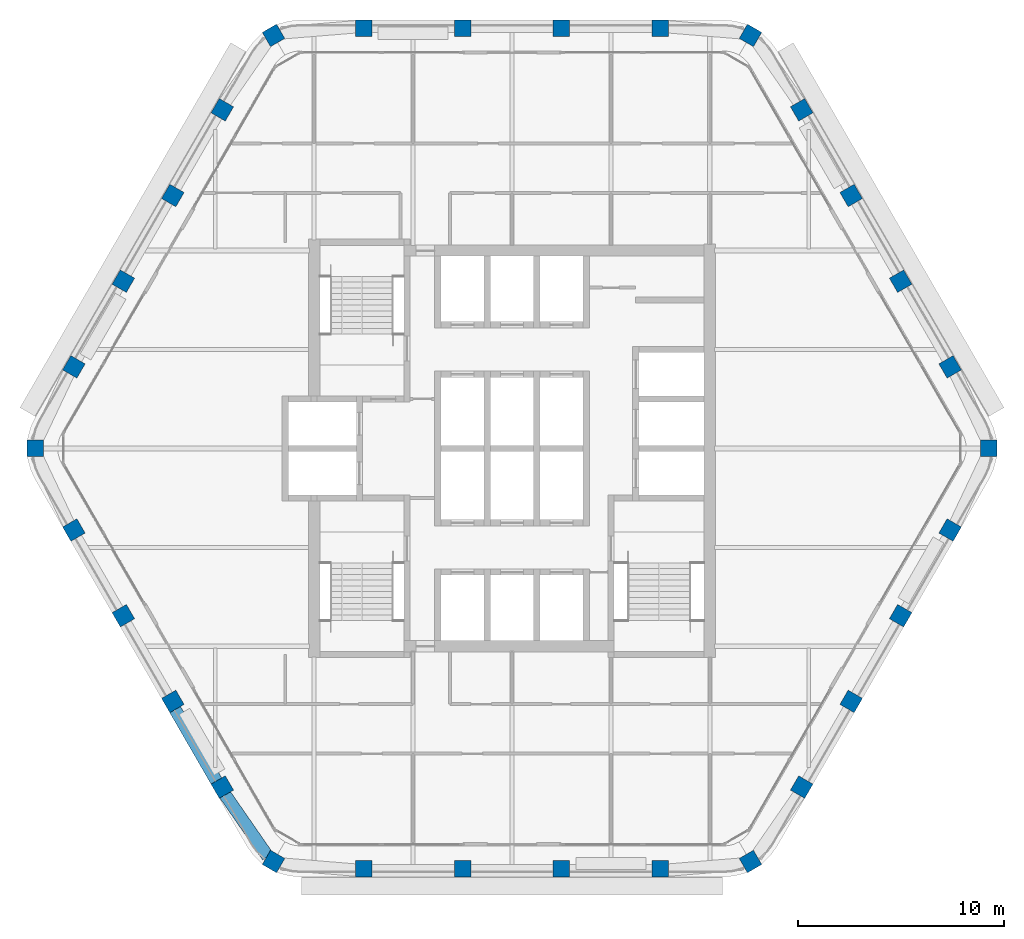
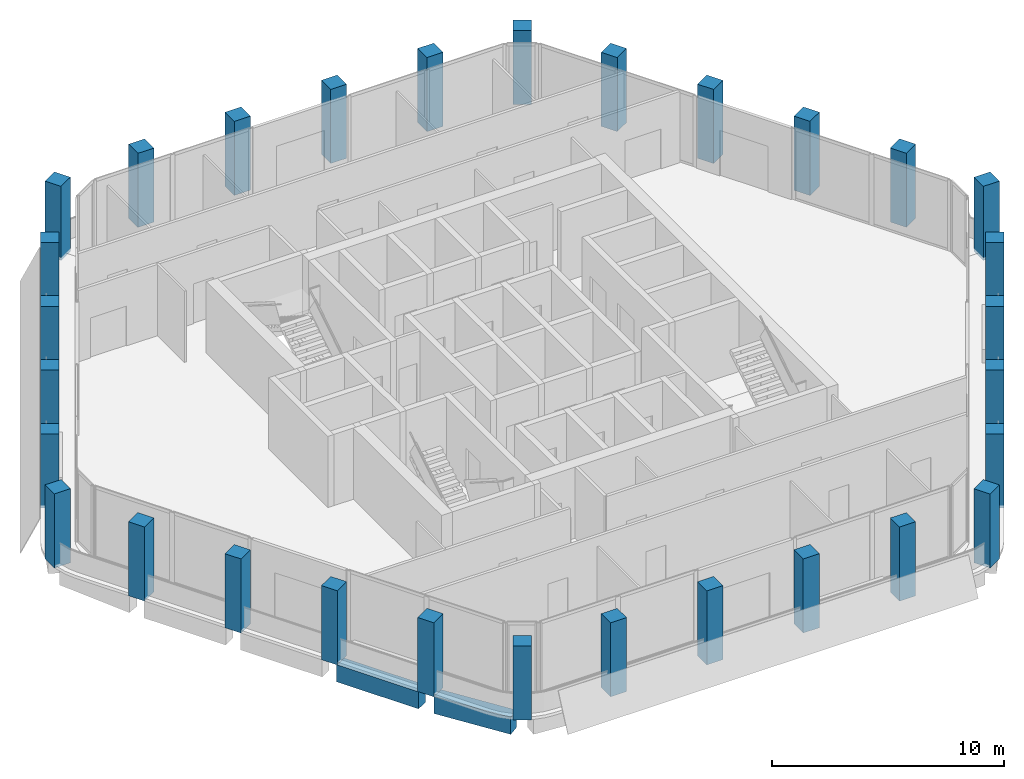
# One storey, part 1 of 14: 30 columns, 2 beams.
"""IFC4 building model written with IfcOpenShell, lengths in metres."""

from ifc_helpers import new_model, si_unit, direction, frame, origin, origin_2d, place, context, subcontext, project, spatial, rectangle, extrude, material, material_profile, profile_set, type_object, element, save


model = new_model("IFC4")

# Units and contexts
model_context = context("Model", 3, precision=1e-05, world=origin(), true_north=direction((0.0, 1.0)))
body_context = subcontext(model_context, "Body", "Model", "MODEL_VIEW")
ifc_project = project(units=[si_unit("LENGTHUNIT", "METRE"), si_unit("AREAUNIT", "SQUARE_METRE"), si_unit("VOLUMEUNIT", "CUBIC_METRE"), si_unit("PLANEANGLEUNIT", "RADIAN"), si_unit("MASSUNIT", "GRAM", prefix="KILO")], contexts=[model_context])

# Site, building, storey
site_placement = place(None, origin())
site = spatial("IfcSite", under=ifc_project, at=site_placement, CompositionType="ELEMENT")
building_placement = place(site_placement, origin())
building = spatial("IfcBuilding", under=site, at=building_placement, Name="Kolab Exchange Tower", CompositionType="ELEMENT")
storey_placement = place(building_placement, frame((0.0, 0.0, 246.199951171875)))
storey = spatial("IfcBuildingStorey", under=building, at=storey_placement, Name="L54", CompositionType="ELEMENT", Elevation=246.199951171875)

# Columns
ifc_material = material(Name="Concrete C50/60", Category="concrete")
ifc_material_profile_1 = material_profile(ifc_material, rectangle(XDim=0.800048828125, YDim=0.800048828125, at=origin_2d()), Name="RC800")
ifc_profile_set_1 = profile_set([ifc_material_profile_1], Name="Concrete C50/60")
column_type = type_object("IfcColumnType", Name="PERIMETER COLUMN 800 SQ C50/60", PredefinedType="COLUMN", material=ifc_profile_set_1)
for number, where, z_axis, x_axis, name in (
    (1, (-11.56787109375, 20.036376953125, -0.14990234375), (0.0, 0.0, 1.0), (0.866025403784, 0.5, 0.0), "col/L54/F1-01"),
    (2, (-7.199951171875, 20.384521484375, -0.14990234375), (0.0, 0.0, 1.0), (1.0, 0.0, 0.0), "col/L54/F1-02"),
    (3, (-2.39990234375, 20.384521484375, -0.14990234375), (0.0, 0.0, 1.0), (1.0, 0.0, 0.0), "col/L54/F1-03"),
    (4, (2.39990234375, 20.384521484375, -0.14990234375), (0.0, 0.0, 1.0), (1.0, 0.0, 0.0), "col/L54/F1-04"),
    (5, (7.199951171875, 20.384521484375, -0.14990234375), (0.0, 0.0, 1.0), (1.0, 0.0, 0.0), "col/L54/F1-05"),
    (6, (11.56787109375, 20.036376953125, -0.14990234375), (0.0, 0.0, 1.0), (0.5, 0.866025403784, 0.0), "col/L54/F2-01"),
    (7, (14.0537109375, 16.427734375, -0.14990234375), (0.0, 0.0, 1.0), (0.866025403784, 0.5, 0.0), "col/L54/F2-02"),
    (8, (16.45361328125, 12.270751953125, -0.14990234375), (0.0, 0.0, 1.0), (0.866025403784, 0.5, 0.0), "col/L54/F2-03"),
    (9, (18.853515625, 8.11376953125, -0.14990234375), (0.0, 0.0, 1.0), (0.866025403784, 0.5, 0.0), "col/L54/F2-04"),
    (10, (21.253662109375, 3.95703125, -0.14990234375), (0.0, 0.0, 1.0), (0.866025403784, 0.5, 0.0), "col/L54/F2-05"),
    (11, (23.135986328125, 0.0, -0.14990234375), (0.0, 0.0, 1.0), (1.0, 0.0, 0.0), "col/L54/F3-01"),
    (12, (21.253662109375, -3.95703125, -0.14990234375), (0.0, 0.0, 1.0), (0.5, 0.866025403784, 0.0), "col/L54/F3-02"),
    (13, (18.853515625, -8.11376953125, -0.14990234375), (0.0, 0.0, 1.0), (0.5, 0.866025403784, 0.0), "col/L54/F3-03"),
    (14, (16.45361328125, -12.270751953125, -0.14990234375), (0.0, 0.0, 1.0), (0.5, 0.866025403784, 0.0), "col/L54/F3-04"),
    (15, (14.0537109375, -16.427734375, -0.14990234375), (0.0, 0.0, 1.0), (0.5, 0.866025403784, 0.0), "col/L54/F3-05"),
    (16, (11.56787109375, -20.036376953125, -0.14990234375), (0.0, 0.0, 1.0), (0.866025403784, 0.5, 0.0), "col/L54/F4-01"),
    (17, (7.199951171875, -20.384521484375, -0.14990234375), (0.0, 0.0, 1.0), (1.0, 0.0, 0.0), "col/L54/F4-02"),
    (18, (2.39990234375, -20.384521484375, -0.14990234375), (0.0, 0.0, 1.0), (1.0, 0.0, 0.0), "col/L54/F4-03"),
    (19, (-2.39990234375, -20.384521484375, -0.14990234375), (0.0, 0.0, 1.0), (1.0, 0.0, 0.0), "col/L54/F4-04"),
    (20, (-7.199951171875, -20.384521484375, -0.14990234375), (0.0, 0.0, 1.0), (1.0, 0.0, 0.0), "col/L54/F4-05"),
    (21, (-11.56787109375, -20.036376953125, -0.14990234375), (0.0, 0.0, 1.0), (0.5, 0.866025403784, 0.0), "col/L54/F5-01"),
    (22, (-14.0537109375, -16.427734375, -0.14990234375), (0.0, 0.0, 1.0), (0.866025403784, 0.5, 0.0), "col/L54/F5-02"),
    (23, (-16.45361328125, -12.270751953125, -0.14990234375), (0.0, 0.0, 1.0), (0.866025403784, 0.5, 0.0), "col/L54/F5-03"),
    (24, (-18.853515625, -8.11376953125, -0.14990234375), (0.0, 0.0, 1.0), (0.866025403784, 0.5, 0.0), "col/L54/F5-04"),
    (25, (-21.253662109375, -3.95703125, -0.14990234375), (0.0, 0.0, 1.0), (0.866025403784, 0.5, 0.0), "col/L54/F5-05"),
    (26, (-23.135986328125, 0.0, -0.14990234375), (0.0, 0.0, 1.0), (1.0, 0.0, 0.0), "col/L54/F6-01"),
    (27, (-21.253662109375, 3.95703125, -0.14990234375), (0.0, 0.0, 1.0), (0.5, 0.866025403784, 0.0), "col/L54/F6-02"),
    (28, (-18.853515625, 8.11376953125, -0.14990234375), (0.0, 0.0, 1.0), (0.5, 0.866025403784, 0.0), "col/L54/F6-03"),
    (29, (-16.45361328125, 12.270751953125, -0.14990234375), (0.0, 0.0, 1.0), (0.5, 0.866025403784, 0.0), "col/L54/F6-04"),
    (30, (-14.0537109375, 16.427734375, -0.14990234375), (0.0, 0.0, 1.0), (0.5, 0.866025403784, 0.0), "col/L54/F6-05"),
):
    element("IfcColumn", number, at=place(storey_placement, frame(where, z_axis=z_axis, x_axis=x_axis)), inside=storey, type_object=column_type, Name=name, PredefinedType="COLUMN", context=body_context, shape_type="SweptSolid", body=[
        extrude(rectangle(XDim=0.800048828125, YDim=0.800048828125, at=origin_2d()), origin(), (0.0, 0.0, 1.0), 3.89990234375),
    ])

# Beams
ifc_material_profile_2 = material_profile(ifc_material, rectangle(XDim=0.60009765625, YDim=0.89990234375, at=origin_2d()), Name="RC600X900")
ifc_profile_set_2 = profile_set([ifc_material_profile_2], Name="Concrete C50/60")
beam_type = type_object("IfcBeamType", Name="SPANDREL BEAM 600X900 C50/60", PredefinedType="BEAM", material=ifc_profile_set_2)
beam_1_placement = place(storey_placement, frame((-11.846923828125, -19.7919921875, -0.599853515625), z_axis=(-0.569005808573, 0.822333502789, 0.0), x_axis=(-0.822333502789, -0.569005808573, 0.0)))
element("IfcBeam", 31, at=beam_1_placement, inside=storey, type_object=beam_type, Name="beam/L54/sp/F5-01", PredefinedType="BEAM", context=body_context, shape_type="SweptSolid", body=[
    extrude(rectangle(XDim=0.60009765625, YDim=0.89990234375, at=origin_2d()), origin(), (0.0, 0.0, 1.0), 3.6689453125),
])
beam_2_placement = place(storey_placement, frame((-14.3203125, -16.166015625, -0.599853515625), z_axis=(-0.499955548806, 0.866051066172, 0.0), x_axis=(-0.866051066172, -0.499955548806, 0.0)))
element("IfcBeam", 32, at=beam_2_placement, inside=storey, type_object=beam_type, Name="beam/L54/sp/F5-02", PredefinedType="BEAM", context=body_context, shape_type="SweptSolid", body=[
    extrude(rectangle(XDim=0.60009765625, YDim=0.89990234375, at=origin_2d()), origin(), (0.0, 0.0, 1.0), 4.079833984375),
])

save(model, "model.ifc")
